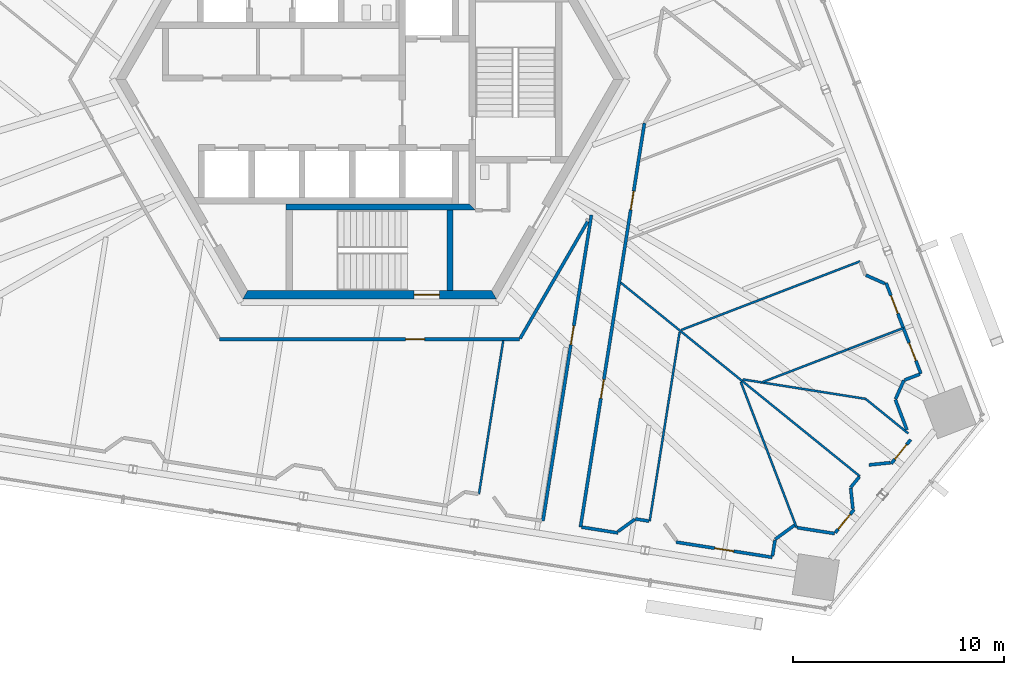
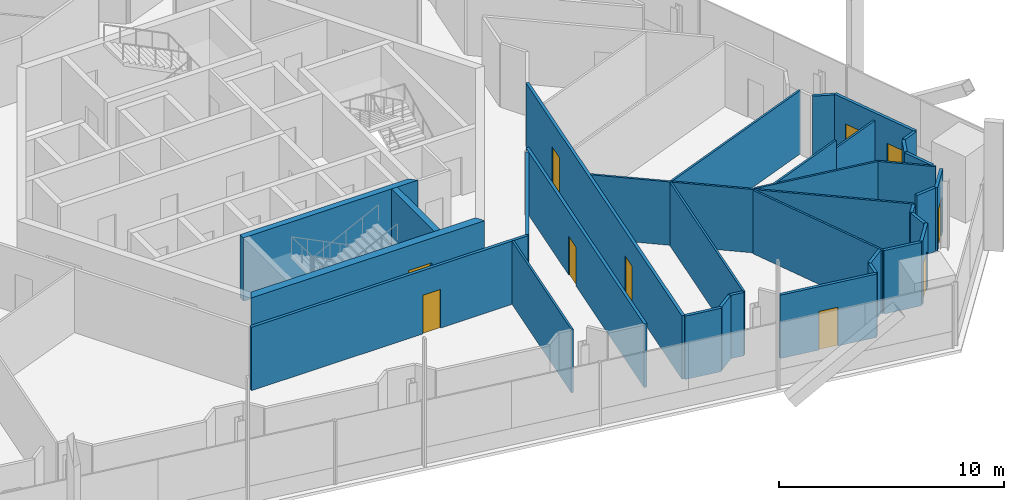
# One storey, part 13 of 23: 33 walls, 10 doors, 10 openings.
"""IFC4 building model written with IfcOpenShell, lengths in metres."""

from ifc_helpers import new_model, si_unit, direction, frame, frame_2d, origin, place, context, subcontext, project, spatial, polyline, rectangle, outline, extrude, source, transform, mapped, material, layer, layer_set, type_object, element, fill, save


model = new_model("IFC4")

# Units and contexts
model_context = context("Model", 3, precision=1e-05, world=origin(), true_north=direction((0.0, 1.0)))
body_context = subcontext(model_context, "Body", "Model", "MODEL_VIEW")
ifc_project = project(units=[si_unit("LENGTHUNIT", "METRE"), si_unit("AREAUNIT", "SQUARE_METRE"), si_unit("VOLUMEUNIT", "CUBIC_METRE"), si_unit("PLANEANGLEUNIT", "RADIAN"), si_unit("MASSUNIT", "GRAM", prefix="KILO")], contexts=[model_context])

# Site, building, storey
site_placement = place(None, origin())
site = spatial("IfcSite", under=ifc_project, at=site_placement, CompositionType="ELEMENT")
building_placement = place(site_placement, origin())
building = spatial("IfcBuilding", under=site, at=building_placement, Name="Triune Harvest Tower", CompositionType="ELEMENT")
storey_placement = place(building_placement, frame((0.0, 0.0, 167.699951171875)))
storey = spatial("IfcBuildingStorey", under=building, at=storey_placement, Name="L43", CompositionType="ELEMENT", Elevation=167.699951171875)

# Walls
ifc_material_1 = material(Name="Gypsum board on steel studs", Category="steel")
ifc_layer_1 = layer(ifc_material_1, 0.14990234375)
ifc_layer_set_1 = layer_set([ifc_layer_1], Name="Gypsum board on steel studs")
wall_type_1 = type_object("IfcWallType", Name="Fire Partition 150 mm", PredefinedType="PARTITIONING", material=ifc_layer_set_1)
wall_1_placement = place(storey_placement, frame((24.861572265625, -15.147216796875, 0.0), z_axis=(0.0, 0.0, 1.0), x_axis=(0.358404396023, -0.933566435189, 0.0)))
element("IfcWall", 1, at=wall_1_placement, inside=storey, type_object=wall_type_1, Name="Partition L43 013", PredefinedType="PARTITIONING", context=body_context, shape_type="SweptSolid", body=[
    extrude(rectangle(XDim=1.537353515625, YDim=0.14990234375, at=frame_2d((0.7685546875, 0.0))), origin(), (0.0, 0.0, 1.0), 3.43994140625),
])
wall_2_placement = place(storey_placement, frame((12.56494140625, -20.791015625, 0.0), z_axis=(0.0, 0.0, 1.0), x_axis=(0.98770238175, -0.156345786911, 0.0)))
element("IfcWall", 2, at=wall_2_placement, inside=storey, type_object=wall_type_1, Name="Partition L43 065", PredefinedType="PARTITIONING", context=body_context, shape_type="SweptSolid", body=[
    extrude(rectangle(XDim=0.654296875, YDim=0.14990234375, at=frame_2d((0.3271484375, 0.0))), origin(), (0.0, 0.0, 1.0), 3.43994140625),
])
wall_3_placement = place(storey_placement, frame((19.177734375, -21.755615234375, 0.0), z_axis=(0.0, 0.0, 1.0), x_axis=(0.808995006396, 0.587815514959, 0.0)))
element("IfcWall", 3, at=wall_3_placement, inside=storey, type_object=wall_type_1, Name="Partition L43 098", PredefinedType="PARTITIONING", context=body_context, shape_type="SweptSolid", body=[
    extrude(rectangle(XDim=1.141357421875, YDim=0.14990234375, at=frame_2d((0.57080078125, 0.0))), origin(), (0.0, 0.0, 1.0), 3.43994140625),
])

# Wall, opening, door
wall_4_placement = place(storey_placement, frame((24.66357421875, -18.181396484375, 0.0), z_axis=(0.0, 0.0, 1.0), x_axis=(0.629265165077, 0.777190679319, 0.0)))
wall_4 = element("IfcWall", 4, at=wall_4_placement, inside=storey, type_object=wall_type_1, Name="Partition L43 106", PredefinedType="PARTITIONING", context=body_context, shape_type="SweptSolid", body=[
    extrude(rectangle(XDim=1.468994140625, YDim=0.14990234375, at=frame_2d((0.734375, 0.0))), origin(), (0.0, 0.0, 1.0), 3.43994140625),
])
opening_1_placement = place(wall_4_placement, frame((0.268798828125, 0.0, 0.0)))
opening_1 = element("IfcOpeningElement", 5, at=opening_1_placement, cuts=wall_4, Name="Opening L43-030", PredefinedType="OPENING", context=body_context, shape_type="SweptSolid", body=[
    extrude(rectangle(XDim=0.89990234375, YDim=2.10009765625, at=frame_2d((0.449951171875, 1.050048828125))), frame((0.0, 0.0849609375, 0.0), z_axis=(0.0, -1.0, 0.0), x_axis=(1.0, 0.0, 0.0)), (0.0, 0.0, 1.0), 0.169921875),
])
ifc_material_2 = material(Name="Timber and steel door set", Category="steel")
door_type_1 = type_object("IfcDoorType", Name="Single leaf door FD30 left hand 900 x 2100", OperationType="SINGLE_SWING_LEFT", PredefinedType="DOOR", material=ifc_material_2)
door_1_placement = place(opening_1_placement, origin())
door_1 = element("IfcDoor", 6, at=door_1_placement, inside=storey, type_object=door_type_1, Name="Door L43-030 Office 43.30", OperationType="SINGLE_SWING_LEFT", OverallHeight=2.10009765625, OverallWidth=0.89990234375, PredefinedType="DOOR", context=body_context, shape_type="SweptSolid", body=[
    extrude(rectangle(XDim=0.89990234375, YDim=2.10009765625, at=frame_2d((0.449951171875, 1.050048828125))), frame((0.0, 0.02490234375, 0.0), z_axis=(0.0, -1.0, 0.0), x_axis=(1.0, 0.0, 0.0)), (0.0, 0.0, 1.0), 0.050048828125),
])
fill(opening_1, door_1)

# Walls
wall_5_placement = place(storey_placement, frame((7.116943359375, -12.2578125, 0.0), z_axis=(0.0, 0.0, 1.0), x_axis=(0.499975936691, 0.866039296297, 0.0)))
element("IfcWall", 7, at=wall_5_placement, inside=storey, type_object=wall_type_1, Name="Partition L43 122", PredefinedType="PARTITIONING", context=body_context, shape_type="SweptSolid", body=[
    extrude(rectangle(XDim=6.391845703125, YDim=0.14990234375, at=frame_2d((3.19580078125, 0.0))), origin(), (0.0, 0.0, 1.0), 3.43994140625),
])
wall_6_placement = place(storey_placement, frame((19.05224609375, -22.548583984375, 0.0), z_axis=(0.0, 0.0, 1.0), x_axis=(0.156400633619, 0.987693698372, 0.0)))
element("IfcWall", 8, at=wall_6_placement, inside=storey, type_object=wall_type_1, Name="Partition L43 131", PredefinedType="PARTITIONING", context=body_context, shape_type="SweptSolid", body=[
    extrude(rectangle(XDim=0.772705078125, YDim=0.14990234375, at=frame_2d((0.38623046875, 0.0))), origin(), (0.0, 0.0, 1.0), 3.43994140625),
])

# Wall, openings, doors
wall_7_placement = place(storey_placement, frame((9.973388671875, -21.17138671875, 0.0), z_axis=(0.0, 0.0, 1.0), x_axis=(0.156428018453, 0.987689361613, 0.0)))
wall_7 = element("IfcWall", 9, at=wall_7_placement, inside=storey, type_object=wall_type_1, Name="Partition L43 133", PredefinedType="PARTITIONING", context=body_context, shape_type="SweptSolid", body=[
    extrude(rectangle(XDim=19.3388671875, YDim=0.14990234375, at=frame_2d((9.66943359375, 0.0))), origin(), (0.0, 0.0, 1.0), 3.43994140625),
])
opening_2_placement = place(wall_7_placement, frame((15.184326171875, 0.0, 0.0)))
opening_2 = element("IfcOpeningElement", 10, at=opening_2_placement, cuts=wall_7, Name="Opening L43-003", PredefinedType="OPENING", context=body_context, shape_type="SweptSolid", body=[
    extrude(rectangle(XDim=0.89990234375, YDim=2.10009765625, at=frame_2d((0.449951171875, 1.050048828125))), frame((0.0, 0.0849609375, 0.0), z_axis=(0.0, -1.0, 0.0), x_axis=(1.0, 0.0, 0.0)), (0.0, 0.0, 1.0), 0.169921875),
])
opening_3_placement = place(wall_7_placement, frame((6.159423828125, 0.0, 0.0)))
opening_3 = element("IfcOpeningElement", 11, at=opening_3_placement, cuts=wall_7, Name="Opening L43-027", PredefinedType="OPENING", context=body_context, shape_type="SweptSolid", body=[
    extrude(rectangle(XDim=0.89990234375, YDim=2.10009765625, at=frame_2d((0.449951171875, 1.050048828125))), frame((0.0, 0.0849609375, 0.0), z_axis=(0.0, -1.0, 0.0), x_axis=(1.0, 0.0, 0.0)), (0.0, 0.0, 1.0), 0.169921875),
])
door_2_placement = place(opening_2_placement, origin())
door_2 = element("IfcDoor", 12, at=door_2_placement, inside=storey, type_object=door_type_1, Name="Door L43-003 Project Room 43.03", OperationType="SINGLE_SWING_LEFT", OverallHeight=2.10009765625, OverallWidth=0.89990234375, PredefinedType="DOOR", context=body_context, shape_type="SweptSolid", body=[
    extrude(rectangle(XDim=0.89990234375, YDim=2.10009765625, at=frame_2d((0.449951171875, 1.050048828125))), frame((0.0, 0.02490234375, 0.0), z_axis=(0.0, -1.0, 0.0), x_axis=(1.0, 0.0, 0.0)), (0.0, 0.0, 1.0), 0.050048828125),
])
fill(opening_2, door_2)
ifc_material_3 = material(Name="Timber and steel door set", Category="steel")
door_type_2 = type_object("IfcDoorType", Name="Single leaf door FD30 right hand 900 x 2100", OperationType="SINGLE_SWING_RIGHT", PredefinedType="DOOR", material=ifc_material_3)
door_3_placement = place(opening_3_placement, origin())
door_3 = element("IfcDoor", 13, at=door_3_placement, inside=storey, type_object=door_type_2, Name="Door L43-027 Meeting Room 43.27", OperationType="SINGLE_SWING_RIGHT", OverallHeight=2.10009765625, OverallWidth=0.89990234375, PredefinedType="DOOR", context=body_context, shape_type="SweptSolid", body=[
    extrude(rectangle(XDim=0.89990234375, YDim=2.10009765625, at=frame_2d((0.449951171875, 1.050048828125))), frame((0.0, 0.02490234375, 0.0), z_axis=(0.0, -1.0, 0.0), x_axis=(1.0, 0.0, 0.0)), (0.0, 0.0, 1.0), 0.050048828125),
])
fill(opening_3, door_3)

# Wall, opening, door
wall_8_placement = place(storey_placement, frame((8.19580078125, -20.889892578125, 0.0), z_axis=(0.0, 0.0, 1.0), x_axis=(0.156426409619, 0.987689616415, 0.0)))
wall_8 = element("IfcWall", 14, at=wall_8_placement, inside=storey, type_object=wall_type_1, Name="Partition L43 136", PredefinedType="PARTITIONING", context=body_context, shape_type="SweptSolid", body=[
    extrude(rectangle(XDim=14.649169921875, YDim=0.14990234375, at=frame_2d((7.32470703125, 0.0))), origin(), (0.0, 0.0, 1.0), 3.43994140625),
])
opening_4_placement = place(wall_8_placement, frame((8.4404296875, 0.0, 0.0)))
opening_4 = element("IfcOpeningElement", 15, at=opening_4_placement, cuts=wall_8, Name="Opening L43-026", PredefinedType="OPENING", context=body_context, shape_type="SweptSolid", body=[
    extrude(rectangle(XDim=0.89990234375, YDim=2.10009765625, at=frame_2d((0.449951171875, 1.050048828125))), frame((0.0, 0.0849609375, 0.0), z_axis=(0.0, -1.0, 0.0), x_axis=(1.0, 0.0, 0.0)), (0.0, 0.0, 1.0), 0.169921875),
])
door_4_placement = place(opening_4_placement, origin())
door_4 = element("IfcDoor", 16, at=door_4_placement, inside=storey, type_object=door_type_2, Name="Door L43-026 Office 43.26", OperationType="SINGLE_SWING_RIGHT", OverallHeight=2.10009765625, OverallWidth=0.89990234375, PredefinedType="DOOR", context=body_context, shape_type="SweptSolid", body=[
    extrude(rectangle(XDim=0.89990234375, YDim=2.10009765625, at=frame_2d((0.449951171875, 1.050048828125))), frame((0.0, 0.02490234375, 0.0), z_axis=(0.0, -1.0, 0.0), x_axis=(1.0, 0.0, 0.0)), (0.0, 0.0, 1.0), 0.050048828125),
])
fill(opening_4, door_4)

# Walls
ifc_material_4 = material(Name="Gypsum board on steel studs", Category="steel")
ifc_layer_2 = layer(ifc_material_4, 0.10009765625)
ifc_layer_set_2 = layer_set([ifc_layer_2], Name="Gypsum board on steel studs")
wall_type_2 = type_object("IfcWallType", Name="Partition 100 mm", PredefinedType="PARTITIONING", material=ifc_layer_set_2)
wall_9_placement = place(storey_placement, frame((11.881591796875, -9.621337890625, 0.0), z_axis=(0.0, 0.0, 1.0), x_axis=(0.777146324363, -0.629319942898, 0.0)))
element("IfcWall", 17, at=wall_9_placement, inside=storey, type_object=wall_type_2, Name="Partition L43 037", PredefinedType="PARTITIONING", context=body_context, shape_type="SweptSolid", body=[
    extrude(rectangle(XDim=14.5400390625, YDim=0.10009765625, at=frame_2d((7.27001953125, 0.0))), origin(), (0.0, 0.0, 1.0), 3.43994140625),
])
wall_10_placement = place(storey_placement, frame((17.647216796875, -14.193603515625, 0.0), z_axis=(0.0, 0.0, 1.0), x_axis=(0.987690472463, -0.156421004363, 0.0)))
element("IfcWall", 18, at=wall_10_placement, inside=storey, type_object=wall_type_2, Name="Partition L43 069", PredefinedType="PARTITIONING", context=body_context, shape_type="SweptSolid", body=[
    extrude(rectangle(XDim=5.87939453125, YDim=0.10009765625, at=frame_2d((2.939697265625, 0.0))), origin(), (0.0, 0.0, 1.0), 3.43994140625),
])
wall_11_placement = place(storey_placement, frame((18.543212890625, -14.335693359375, 0.0), z_axis=(0.0, 0.0, 1.0), x_axis=(0.933566937038, 0.358403088812, 0.0)))
element("IfcWall", 19, at=wall_11_placement, inside=storey, type_object=wall_type_2, Name="Partition L43 083", PredefinedType="PARTITIONING", context=body_context, shape_type="SweptSolid", body=[
    extrude(rectangle(XDim=4.37451171875, YDim=0.10009765625, at=frame_2d((2.187255859375, 0.0))), origin(), (0.0, 0.0, 1.0), 3.43994140625),
])
wall_12_placement = place(storey_placement, frame((22.627197265625, -12.767822265625, 0.0), z_axis=(0.0, 0.0, 1.0), x_axis=(0.933612580384, 0.358284174572, 0.0)))
element("IfcWall", 20, at=wall_12_placement, inside=storey, type_object=wall_type_2, Name="Partition L43 083a", PredefinedType="PARTITIONING", context=body_context, shape_type="SweptSolid", body=[
    extrude(rectangle(XDim=2.802001953125, YDim=0.10009765625, at=frame_2d((1.40087890625, 0.0))), origin(), (0.0, 0.0, 1.0), 3.0234375),
])
wall_13_placement = place(storey_placement, frame((13.24365234375, -20.8994140625, 0.0), z_axis=(0.0, 0.0, 1.0), x_axis=(0.156415012577, 0.987691421366, 0.0)))
element("IfcWall", 21, at=wall_13_placement, inside=storey, type_object=wall_type_2, Name="Partition L43 132", PredefinedType="PARTITIONING", context=body_context, shape_type="SweptSolid", body=[
    extrude(rectangle(XDim=9.060791015625, YDim=0.10009765625, at=frame_2d((4.5302734375, 0.0))), origin(), (0.0, 0.0, 1.0), 3.43994140625),
])
wall_14_placement = place(storey_placement, frame((5.169189453125, -19.620361328125, 0.0), z_axis=(0.0, 0.0, 1.0), x_axis=(0.156448058977, 0.987686187431, 0.0)))
element("IfcWall", 22, at=wall_14_placement, inside=storey, type_object=wall_type_2, Name="Partition L43 138", PredefinedType="PARTITIONING", context=body_context, shape_type="SweptSolid", body=[
    extrude(rectangle(XDim=7.359375, YDim=0.10009765625, at=frame_2d((3.6796875, 0.0))), origin(), (0.0, 0.0, 1.0), 3.43994140625),
])

# Wall, opening, door
ifc_material_5 = material(Name="Concrete 70 MPa", Category="concrete")
ifc_layer_3 = layer(ifc_material_5, 0.39990234375)
ifc_layer_set_3 = layer_set([ifc_layer_3], Name="Concrete 70 MPa")
wall_type_3 = type_object("IfcWallType", Name="Core wall 400", PredefinedType="SHEAR", material=ifc_layer_set_3)
shared_shape_1 = source(origin(), body_context, "Body", "SweptSolid", [
    extrude(outline(polyline([(-0.115478515625, -0.199951171875), (11.884521484375, -0.199951171875), (11.653564453125, 0.199951171875), (0.115478515625, 0.199951171875), (-0.115478515625, -0.199951171875)])), origin(), (0.0, 0.0, 1.0), 3.43994140625),
])
wall_15_placement = place(storey_placement, frame((-5.884521484375, -10.1923828125, 0.0), z_axis=(0.0, 0.0, 1.0), x_axis=(1.0, 0.0, 0.0)))
wall_15 = element("IfcWall", 23, at=wall_15_placement, inside=storey, type_object=wall_type_3, Name="Hexagon 4 wall", PredefinedType="SHEAR", context=body_context, shape_type="MappedRepresentation", body=[
    mapped(shared_shape_1, transform((0.0, 0.0, 0.0), scale=1.0)),
])
opening_5_placement = place(wall_15_placement, frame((7.984619140625, 0.0, 0.0)))
opening_5 = element("IfcOpeningElement", 24, at=opening_5_placement, cuts=wall_15, Name="Opening CD-S2P", PredefinedType="OPENING", context=body_context, shape_type="SweptSolid", body=[
    extrude(rectangle(XDim=1.199951171875, YDim=2.10009765625, at=frame_2d((0.60009765625, 1.050048828125))), frame((0.0, 0.2099609375, 0.0), z_axis=(0.0, -1.0, 0.0), x_axis=(1.0, 0.0, 0.0)), (0.0, 0.0, 1.0), 0.419921875),
])
ifc_material_6 = material(Name="Steel S235", Category="steel")
door_type_3 = type_object("IfcDoorType", Name="Stair door 1200 FD120", OperationType="SINGLE_SWING_LEFT", PredefinedType="DOOR", material=ifc_material_6)
door_5_placement = place(opening_5_placement, frame((1.199951171875, 0.0, 0.0), z_axis=(0.0, 0.0, 1.0), x_axis=(-1.0, 0.0, 0.0)))
door_5 = element("IfcDoor", 25, at=door_5_placement, inside=storey, type_object=door_type_3, Name="Door CD-S2P", OperationType="SINGLE_SWING_RIGHT", OverallHeight=2.10009765625, OverallWidth=1.199951171875, PredefinedType="DOOR", context=body_context, shape_type="SweptSolid", body=[
    extrude(rectangle(XDim=1.199951171875, YDim=2.10009765625, at=frame_2d((0.60009765625, 1.050048828125))), frame((0.0, 0.02490234375, 0.0), z_axis=(0.0, -1.0, 0.0), x_axis=(1.0, 0.0, 0.0)), (0.0, 0.0, 1.0), 0.050048828125),
])
fill(opening_5, door_5)

# Walls
ifc_material_7 = material(Name="Concrete 70 MPa", Category="concrete")
ifc_layer_4 = layer(ifc_material_7, 0.300048828125)
ifc_layer_set_4 = layer_set([ifc_layer_4], Name="Concrete 70 MPa")
wall_type_4 = type_object("IfcWallType", Name="Core wall 300", PredefinedType="SHEAR", material=ifc_layer_set_4)
shared_shape_2 = source(origin(), body_context, "Body", "SweptSolid", [
    extrude(outline(polyline([(0.0, -0.14990234375), (8.949951171875, -0.14990234375), (8.64990234375, 0.14990234375), (0.0, 0.14990234375), (0.0, -0.14990234375)])), origin(), (0.0, 0.0, 1.0), 3.43994140625),
])
wall_16_placement = place(storey_placement, frame((-3.949951171875, -6.0400390625, 0.0), z_axis=(0.0, 0.0, 1.0), x_axis=(1.0, 0.0, 0.0)))
element("IfcWall", 26, at=wall_16_placement, inside=storey, type_object=wall_type_4, Name="Stair s north wall", PredefinedType="SHEAR", context=body_context, shape_type="MappedRepresentation", body=[
    mapped(shared_shape_2, transform((0.0, 0.0, 0.0), scale=1.0)),
])
shared_shape_3 = source(origin(), body_context, "Body", "SweptSolid", [
    extrude(outline(polyline([(3.800048828125, -0.14990234375), (-0.00439453125, -0.14990234375), (-0.00439453125, 0.14990234375), (3.800048828125, 0.14990234375), (3.800048828125, -0.14990234375)])), origin(), (0.0, 0.0, 1.0), 3.43994140625),
])
wall_17_placement = place(storey_placement, frame((3.800048828125, -9.989990234375, 0.0), z_axis=(0.0, 0.0, 1.0), x_axis=(0.0, 1.0, 0.0)))
element("IfcWall", 27, at=wall_17_placement, inside=storey, type_object=wall_type_4, Name="Stair s east wall", PredefinedType="SHEAR", context=body_context, shape_type="MappedRepresentation", body=[
    mapped(shared_shape_3, transform((0.0, 0.0, 0.0), scale=1.0)),
])

# Wall, opening, door
shared_shape_4 = source(origin(), body_context, "Body", "SweptSolid", [
    extrude(rectangle(XDim=1.418701171875, YDim=0.14990234375, at=frame_2d((0.70947265625, 0.0))), origin(), (0.0, 0.0, 1.0), 3.43994140625),
])
wall_18_placement = place(storey_placement, frame((22.018798828125, -21.447021484375, 0.0), z_axis=(0.0, 0.0, 1.0), x_axis=(0.629321981855, 0.777144673245, 0.0)))
wall_18 = element("IfcWall", 28, at=wall_18_placement, inside=storey, type_object=wall_type_1, Name="Partition L43 105", PredefinedType="PARTITIONING", context=body_context, shape_type="MappedRepresentation", body=[
    mapped(shared_shape_4, transform((0.0, 0.0, 0.0), scale=1.0)),
])
opening_6_placement = place(wall_18_placement, frame((0.218994140625, 0.0, 0.0)))
opening_6 = element("IfcOpeningElement", 29, at=opening_6_placement, cuts=wall_18, Name="Opening L43-029", PredefinedType="OPENING", context=body_context, shape_type="SweptSolid", body=[
    extrude(rectangle(XDim=0.89990234375, YDim=2.10009765625, at=frame_2d((0.449951171875, 1.050048828125))), frame((0.0, 0.0849609375, 0.0), z_axis=(0.0, -1.0, 0.0), x_axis=(1.0, 0.0, 0.0)), (0.0, 0.0, 1.0), 0.169921875),
])
door_6_placement = place(opening_6_placement, origin())
door_6 = element("IfcDoor", 30, at=door_6_placement, inside=storey, type_object=door_type_1, Name="Door L43-029 Open Office 43.29", OperationType="SINGLE_SWING_LEFT", OverallHeight=2.10009765625, OverallWidth=0.89990234375, PredefinedType="DOOR", context=body_context, shape_type="SweptSolid", body=[
    extrude(rectangle(XDim=0.89990234375, YDim=2.10009765625, at=frame_2d((0.449951171875, 1.050048828125))), frame((0.0, 0.02490234375, 0.0), z_axis=(0.0, -1.0, 0.0), x_axis=(1.0, 0.0, 0.0)), (0.0, 0.0, 1.0), 0.050048828125),
])
fill(opening_6, door_6)

shared_shape_5 = source(origin(), body_context, "Body", "SweptSolid", [
    extrude(rectangle(XDim=14.19384765625, YDim=0.14990234375, at=frame_2d((7.096923828125, 0.0))), origin(), (0.0, 0.0, 1.0), 3.43994140625),
])
wall_19_placement = place(storey_placement, frame((-7.096923828125, -12.292236328125, 0.0), z_axis=(0.0, 0.0, 1.0), x_axis=(1.0, 0.0, 0.0)))
wall_19 = element("IfcWall", 31, at=wall_19_placement, inside=storey, type_object=wall_type_1, Name="Partition L43 073", PredefinedType="PARTITIONING", context=body_context, shape_type="MappedRepresentation", body=[
    mapped(shared_shape_5, transform((0.0, 0.0, 0.0), scale=1.0)),
])
opening_7_placement = place(wall_19_placement, frame((8.800048828125, 0.0, 0.0)))
opening_7 = element("IfcOpeningElement", 32, at=opening_7_placement, cuts=wall_19, Name="Opening L43-025", PredefinedType="OPENING", context=body_context, shape_type="SweptSolid", body=[
    extrude(rectangle(XDim=0.89990234375, YDim=2.10009765625, at=frame_2d((0.449951171875, 1.050048828125))), frame((0.0, 0.0849609375, 0.0), z_axis=(0.0, -1.0, 0.0), x_axis=(1.0, 0.0, 0.0)), (0.0, 0.0, 1.0), 0.169921875),
])
door_7_placement = place(opening_7_placement, origin())
door_7 = element("IfcDoor", 33, at=door_7_placement, inside=storey, type_object=door_type_1, Name="Door L43-025 Open Office 43.25", OperationType="SINGLE_SWING_LEFT", OverallHeight=2.10009765625, OverallWidth=0.89990234375, PredefinedType="DOOR", context=body_context, shape_type="SweptSolid", body=[
    extrude(rectangle(XDim=0.89990234375, YDim=2.10009765625, at=frame_2d((0.449951171875, 1.050048828125))), frame((0.0, 0.02490234375, 0.0), z_axis=(0.0, -1.0, 0.0), x_axis=(1.0, 0.0, 0.0)), (0.0, 0.0, 1.0), 0.050048828125),
])
fill(opening_7, door_7)

# Walls
shared_shape_6 = source(origin(), body_context, "Body", "SweptSolid", [
    extrude(rectangle(XDim=0.983642578125, YDim=0.14990234375, at=frame_2d((0.49169921875, 0.0))), origin(), (0.0, 0.0, 1.0), 3.43994140625),
])
wall_20_placement = place(storey_placement, frame((23.46923828125, -9.26171875, 0.0), z_axis=(0.0, 0.0, 1.0), x_axis=(0.913627223066, -0.406552945227, 0.0)))
element("IfcWall", 34, at=wall_20_placement, inside=storey, type_object=wall_type_1, Name="Partition L43 050", PredefinedType="PARTITIONING", context=body_context, shape_type="MappedRepresentation", body=[
    mapped(shared_shape_6, transform((0.0, 0.0, 0.0), scale=1.0)),
])
shared_shape_7 = source(origin(), body_context, "Body", "SweptSolid", [
    extrude(rectangle(XDim=0.9833984375, YDim=0.14990234375, at=frame_2d((0.49169921875, 0.0))), origin(), (0.0, 0.0, 1.0), 3.43994140625),
])
for number, where, z_axis, x_axis, name in (
    (35, (22.752685546875, -19.334716796875, 0.0), (0.0, 0.0, 1.0), (0.104516783509, -0.994523122891, 0.0), "Partition L43 006"),
    (36, (11.746337890625, -21.3876953125, 0.0), (0.0, 0.0, 1.0), (0.809111679147, 0.587654907806, 0.0), "Partition L43 099"),
):
    element("IfcWall", number, at=place(storey_placement, frame(where, z_axis=z_axis, x_axis=x_axis)), inside=storey, type_object=wall_type_1, Name=name, PredefinedType="PARTITIONING", context=body_context, shape_type="MappedRepresentation", body=[
        mapped(shared_shape_7, transform((0.0, 0.0, 0.0), scale=1.0)),
    ])
shared_shape_8 = source(origin(), body_context, "Body", "SweptSolid", [
    extrude(rectangle(XDim=7.382568359375, YDim=0.10009765625, at=frame_2d((3.69140625, 0.0))), origin(), (0.0, 0.0, 1.0), 3.43994140625),
])
wall_21_placement = place(storey_placement, frame((17.552490234375, -14.310302734375, 0.0), z_axis=(0.0, 0.0, 1.0), x_axis=(0.358343001336, -0.933590002835, 0.0)))
element("IfcWall", 37, at=wall_21_placement, inside=storey, type_object=wall_type_2, Name="Partition L43 011", PredefinedType="PARTITIONING", context=body_context, shape_type="MappedRepresentation", body=[
    mapped(shared_shape_8, transform((0.0, 0.0, 0.0), scale=1.0)),
])

# Wall, opening, door
shared_shape_9 = source(origin(), body_context, "Body", "SweptSolid", [
    extrude(rectangle(XDim=4.603271484375, YDim=0.14990234375, at=frame_2d((2.3017578125, 0.0))), origin(), (0.0, 0.0, 1.0), 3.43994140625),
])
wall_22_placement = place(storey_placement, frame((14.49658203125, -21.8876953125, 0.0), z_axis=(0.0, 0.0, 1.0), x_axis=(0.987685008761, -0.156455499965, 0.0)))
wall_22 = element("IfcWall", 38, at=wall_22_placement, inside=storey, type_object=wall_type_1, Name="Partition L43 060", PredefinedType="PARTITIONING", context=body_context, shape_type="MappedRepresentation", body=[
    mapped(shared_shape_9, transform((0.0, 0.0, 0.0), scale=1.0)),
])
opening_8_placement = place(wall_22_placement, frame((1.85302734375, 0.0, 0.0)))
opening_8 = element("IfcOpeningElement", 39, at=opening_8_placement, cuts=wall_22, Name="Opening L43-028", PredefinedType="OPENING", context=body_context, shape_type="SweptSolid", body=[
    extrude(rectangle(XDim=0.89990234375, YDim=2.10009765625, at=frame_2d((0.449951171875, 1.050048828125))), frame((0.0, 0.0849609375, 0.0), z_axis=(0.0, -1.0, 0.0), x_axis=(1.0, 0.0, 0.0)), (0.0, 0.0, 1.0), 0.169921875),
])
door_8_placement = place(opening_8_placement, origin())
door_8 = element("IfcDoor", 40, at=door_8_placement, inside=storey, type_object=door_type_2, Name="Door L43-028 Project Room 43.28", OperationType="SINGLE_SWING_RIGHT", OverallHeight=2.10009765625, OverallWidth=0.89990234375, PredefinedType="DOOR", context=body_context, shape_type="SweptSolid", body=[
    extrude(rectangle(XDim=0.89990234375, YDim=2.10009765625, at=frame_2d((0.449951171875, 1.050048828125))), frame((0.0, 0.02490234375, 0.0), z_axis=(0.0, -1.0, 0.0), x_axis=(1.0, 0.0, 0.0)), (0.0, 0.0, 1.0), 0.050048828125),
])
fill(opening_8, door_8)

# Wall
shared_shape_10 = source(origin(), body_context, "Body", "SweptSolid", [
    extrude(rectangle(XDim=1.73583984375, YDim=0.14990234375, at=frame_2d((0.867919921875, 0.0))), origin(), (0.0, 0.0, 1.0), 3.43994140625),
])
wall_23_placement = place(storey_placement, frame((10.032470703125, -21.1806640625, 0.0), z_axis=(0.0, 0.0, 1.0), x_axis=(0.987692155254, -0.156410378331, 0.0)))
element("IfcWall", 41, at=wall_23_placement, inside=storey, type_object=wall_type_1, Name="Partition L43 059", PredefinedType="PARTITIONING", context=body_context, shape_type="MappedRepresentation", body=[
    mapped(shared_shape_10, transform((0.0, 0.0, 0.0), scale=1.0)),
])

# Wall, openings, doors
shared_shape_11 = source(origin(), body_context, "Body", "SweptSolid", [
    extrude(rectangle(XDim=4.60302734375, YDim=0.14990234375, at=frame_2d((2.301513671875, 0.0))), origin(), (0.0, 0.0, 1.0), 3.43994140625),
])
wall_24_placement = place(storey_placement, frame((24.42333984375, -9.62841796875, 0.0), z_axis=(0.0, 0.0, 1.0), x_axis=(0.358378362295, -0.93357642935, 0.0)))
wall_24 = element("IfcWall", 42, at=wall_24_placement, inside=storey, type_object=wall_type_1, Name="Partition L43 023", PredefinedType="PARTITIONING", context=body_context, shape_type="MappedRepresentation", body=[
    mapped(shared_shape_11, transform((0.0, 0.0, 0.0), scale=1.0)),
])
opening_9_placement = place(wall_24_placement, frame((0.650390625, 0.0, 0.0)))
opening_9 = element("IfcOpeningElement", 43, at=opening_9_placement, cuts=wall_24, Name="Opening L43-001", PredefinedType="OPENING", context=body_context, shape_type="SweptSolid", body=[
    extrude(rectangle(XDim=0.89990234375, YDim=2.10009765625, at=frame_2d((0.449951171875, 1.050048828125))), frame((0.0, 0.0849609375, 0.0), z_axis=(0.0, -1.0, 0.0), x_axis=(1.0, 0.0, 0.0)), (0.0, 0.0, 1.0), 0.169921875),
])
opening_10_placement = place(wall_24_placement, frame((3.037353515625, 0.0, 0.0)))
opening_10 = element("IfcOpeningElement", 44, at=opening_10_placement, cuts=wall_24, Name="Opening L43-002", PredefinedType="OPENING", context=body_context, shape_type="SweptSolid", body=[
    extrude(rectangle(XDim=0.89990234375, YDim=2.10009765625, at=frame_2d((0.449951171875, 1.050048828125))), frame((0.0, 0.0849609375, 0.0), z_axis=(0.0, -1.0, 0.0), x_axis=(1.0, 0.0, 0.0)), (0.0, 0.0, 1.0), 0.169921875),
])
door_9_placement = place(opening_10_placement, origin())
door_9 = element("IfcDoor", 45, at=door_9_placement, inside=storey, type_object=door_type_1, Name="Door L43-002 Office 43.02", OperationType="SINGLE_SWING_LEFT", OverallHeight=2.10009765625, OverallWidth=0.89990234375, PredefinedType="DOOR", context=body_context, shape_type="SweptSolid", body=[
    extrude(rectangle(XDim=0.89990234375, YDim=2.10009765625, at=frame_2d((0.449951171875, 1.050048828125))), frame((0.0, 0.02490234375, 0.0), z_axis=(0.0, -1.0, 0.0), x_axis=(1.0, 0.0, 0.0)), (0.0, 0.0, 1.0), 0.050048828125),
])
fill(opening_10, door_9)
door_10_placement = place(opening_9_placement, origin())
door_10 = element("IfcDoor", 46, at=door_10_placement, inside=storey, type_object=door_type_2, Name="Door L43-001 Office 43.01", OperationType="SINGLE_SWING_RIGHT", OverallHeight=2.10009765625, OverallWidth=0.89990234375, PredefinedType="DOOR", context=body_context, shape_type="SweptSolid", body=[
    extrude(rectangle(XDim=0.89990234375, YDim=2.10009765625, at=frame_2d((0.449951171875, 1.050048828125))), frame((0.0, 0.02490234375, 0.0), z_axis=(0.0, -1.0, 0.0), x_axis=(1.0, 0.0, 0.0)), (0.0, 0.0, 1.0), 0.050048828125),
])
fill(opening_9, door_10)

# Walls
shared_shape_12 = source(origin(), body_context, "Body", "SweptSolid", [
    extrude(rectangle(XDim=0.782958984375, YDim=0.14990234375, at=frame_2d((0.3916015625, 0.0))), origin(), (0.0, 0.0, 1.0), 3.43994140625),
])
wall_25_placement = place(storey_placement, frame((25.29541015625, -14.224609375, 0.0), z_axis=(0.0, 0.0, 1.0), x_axis=(0.933610565316, 0.358289425367, 0.0)))
element("IfcWall", 47, at=wall_25_placement, inside=storey, type_object=wall_type_1, Name="Partition L43 082", PredefinedType="PARTITIONING", context=body_context, shape_type="MappedRepresentation", body=[
    mapped(shared_shape_12, transform((0.0, 0.0, 0.0), scale=1.0)),
])
shared_shape_13 = source(origin(), body_context, "Body", "SweptSolid", [
    extrude(rectangle(XDim=9.060546875, YDim=0.10009765625, at=frame_2d((4.5302734375, 0.0))), origin(), (0.0, 0.0, 1.0), 3.43994140625),
])
wall_26_placement = place(storey_placement, frame((14.7373046875, -11.856201171875, 0.0), z_axis=(0.0, 0.0, 1.0), x_axis=(0.933578057531, 0.358374120852, 0.0)))
element("IfcWall", 48, at=wall_26_placement, inside=storey, type_object=wall_type_2, Name="Partition L43 084", PredefinedType="PARTITIONING", context=body_context, shape_type="MappedRepresentation", body=[
    mapped(shared_shape_13, transform((0.0, 0.0, 0.0), scale=1.0)),
])
shared_shape_14 = source(origin(), body_context, "Body", "SweptSolid", [
    extrude(rectangle(XDim=2.60302734375, YDim=0.10009765625, at=frame_2d((1.301513671875, 0.0))), origin(), (0.0, 0.0, 1.0), 3.43994140625),
])
wall_27_placement = place(storey_placement, frame((23.454345703125, -15.113525390625, 0.0), z_axis=(0.0, 0.0, 1.0), x_axis=(0.777140021214, -0.629327726568, 0.0)))
element("IfcWall", 49, at=wall_27_placement, inside=storey, type_object=wall_type_2, Name="Partition L43 038", PredefinedType="PARTITIONING", context=body_context, shape_type="MappedRepresentation", body=[
    mapped(shared_shape_14, transform((0.0, 0.0, 0.0), scale=1.0)),
])
shared_shape_15 = source(origin(), body_context, "Body", "SweptSolid", [
    extrude(rectangle(XDim=0.96826171875, YDim=0.14990234375, at=frame_2d((0.484130859375, 0.0))), origin(), (0.0, 0.0, 1.0), 3.43994140625),
])
wall_28_placement = place(storey_placement, frame((24.873779296875, -15.1201171875, 0.0), z_axis=(0.0, 0.0, 1.0), x_axis=(0.406723274539, 0.913551409581, 0.0)))
element("IfcWall", 50, at=wall_28_placement, inside=storey, type_object=wall_type_1, Name="Partition L43 126", PredefinedType="PARTITIONING", context=body_context, shape_type="MappedRepresentation", body=[
    mapped(shared_shape_15, transform((0.0, 0.0, 0.0), scale=1.0)),
])
shared_shape_16 = source(origin(), body_context, "Body", "SweptSolid", [
    extrude(rectangle(XDim=1.79150390625, YDim=0.14990234375, at=frame_2d((0.895751953125, 0.0))), origin(), (0.0, 0.0, 1.0), 3.43994140625),
])
wall_29_placement = place(storey_placement, frame((20.219482421875, -21.202880859375, 0.0), z_axis=(0.0, 0.0, 1.0), x_axis=(0.987708764805, -0.156305457124, 0.0)))
element("IfcWall", 51, at=wall_29_placement, inside=storey, type_object=wall_type_1, Name="Partition L43 067", PredefinedType="PARTITIONING", context=body_context, shape_type="MappedRepresentation", body=[
    mapped(shared_shape_16, transform((0.0, 0.0, 0.0), scale=1.0)),
])
shared_shape_17 = source(origin(), body_context, "Body", "SweptSolid", [
    extrude(rectangle(XDim=1.013671875, YDim=0.14990234375, at=frame_2d((0.5068359375, 0.0))), origin(), (0.0, 0.0, 1.0), 3.43994140625),
])
wall_30_placement = place(storey_placement, frame((23.61279296875, -18.23876953125, 0.0), z_axis=(0.0, 0.0, 1.0), x_axis=(0.994521279075, 0.104534326742, 0.0)))
element("IfcWall", 52, at=wall_30_placement, inside=storey, type_object=wall_type_1, Name="Partition L43 076", PredefinedType="PARTITIONING", context=body_context, shape_type="MappedRepresentation", body=[
    mapped(shared_shape_17, transform((0.0, 0.0, 0.0), scale=1.0)),
])
shared_shape_18 = source(origin(), body_context, "Body", "SweptSolid", [
    extrude(rectangle(XDim=0.655029296875, YDim=0.14990234375, at=frame_2d((0.32763671875, 0.0))), origin(), (0.0, 0.0, 1.0), 3.43994140625),
])
wall_31_placement = place(storey_placement, frame((22.74853515625, -19.30615234375, 0.0), z_axis=(0.0, 0.0, 1.0), x_axis=(0.629455496129, 0.777036536074, 0.0)))
element("IfcWall", 53, at=wall_31_placement, inside=storey, type_object=wall_type_1, Name="Partition L43 107", PredefinedType="PARTITIONING", context=body_context, shape_type="MappedRepresentation", body=[
    mapped(shared_shape_18, transform((0.0, 0.0, 0.0), scale=1.0)),
])

save(model, "model.ifc")
